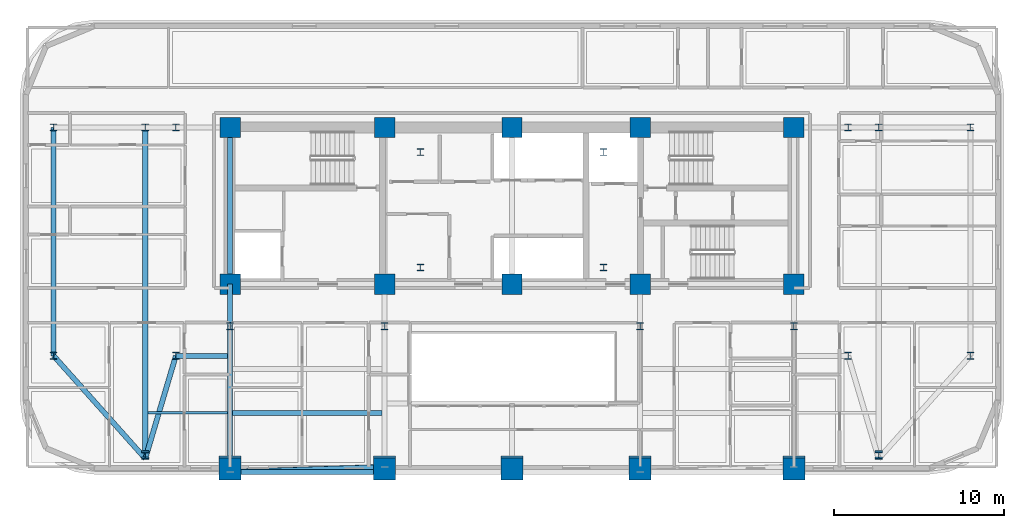
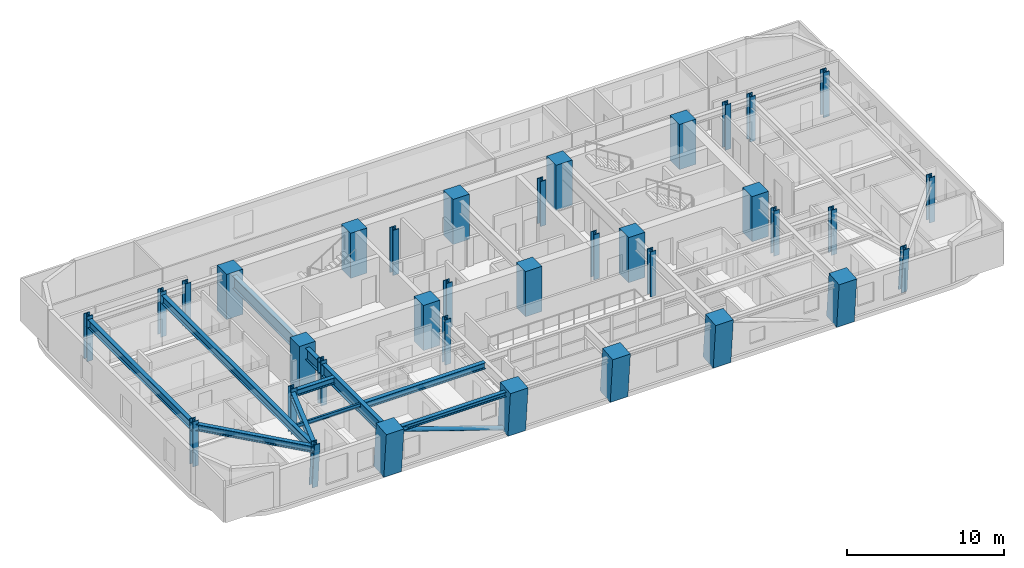
# One storey, part 1 of 16: 35 columns, 11 beams, 1 member.
"""IFC4 building model written with IfcOpenShell, lengths in metres."""

from ifc_helpers import new_model, si_unit, direction, frame, origin, origin_2d, place, context, subcontext, project, spatial, rectangle, hollow_circle, i_section, extrude, material, material_profile, profile_set, type_object, element, save


model = new_model("IFC4")

# Units and contexts
model_context = context("Model", 3, precision=1e-05, world=origin(), true_north=direction((0.0, 1.0)))
body_context = subcontext(model_context, "Body", "Model", "MODEL_VIEW")
ifc_project = project(units=[si_unit("LENGTHUNIT", "METRE"), si_unit("AREAUNIT", "SQUARE_METRE"), si_unit("VOLUMEUNIT", "CUBIC_METRE"), si_unit("PLANEANGLEUNIT", "RADIAN"), si_unit("MASSUNIT", "GRAM", prefix="KILO")], contexts=[model_context])

# Site, building, storey
site_placement = place(None, origin())
site = spatial("IfcSite", under=ifc_project, at=site_placement, CompositionType="ELEMENT")
building_placement = place(site_placement, origin())
building = spatial("IfcBuilding", under=site, at=building_placement, Name="Zarnavel Station Tower", CompositionType="ELEMENT")
storey_placement = place(building_placement, frame((0.0, 0.0, 101.300048828125)))
storey = spatial("IfcBuildingStorey", under=building, at=storey_placement, Name="L27", CompositionType="ELEMENT", Elevation=101.300048828125)

# Columns
ifc_material_1 = material(Name="Steel S460M", Category="steel")
ifc_material_profile_1 = material_profile(ifc_material_1, i_section(OverallWidth=0.41796875, OverallDepth=0.431884765625, WebThickness=0.034912109375, FlangeThickness=0.055908203125, FilletRadius=0.014892578125, at=origin_2d()), Name="HD400x421")
ifc_profile_set_1 = profile_set([ifc_material_profile_1], Name="Steel S460M")
column_type_1 = type_object("IfcColumnType", Name="EC_HD421", PredefinedType="COLUMN", material=ifc_profile_set_1)
for number, where, z_axis, x_axis, name in (
    (1, (1.800048828125, 23.60009765625, 0.0), (0.0, 0.0, 1.0), (1.0, 0.0, 0.0), "L27 Outer Wing South Column 1"),
    (2, (1.800048828125, 37.050048828125, 0.0), (0.0, 0.0, 1.0), (1.0, 0.0, 0.0), "L27 Outer Wing North Column 1"),
):
    element("IfcColumn", number, at=place(storey_placement, frame(where, z_axis=z_axis, x_axis=x_axis)), inside=storey, type_object=column_type_1, Name=name, PredefinedType="COLUMN", context=body_context, shape_type="SweptSolid", body=[
        extrude(i_section(OverallWidth=0.41796875, OverallDepth=0.431884765625, WebThickness=0.034912109375, FlangeThickness=0.055908203125, FilletRadius=0.014892578125, at=origin_2d()), origin(), (0.0, 0.0, 1.0), 3.5),
    ])
for number, where, z_axis, x_axis, name in (
    (3, (7.199951171875, 17.80517578125, 0.0), (0.0, -0.079891690793, 0.996803550226), (1.0, 0.0, 0.0), "L27 Raked Wing Column 2"),
    (4, (50.39990234375, 17.80517578125, 0.0), (0.0, -0.079891690793, 0.996803550226), (1.0, 0.0, 0.0), "L27 Raked Wing Column 3"),
):
    element("IfcColumn", number, at=place(storey_placement, frame(where, z_axis=z_axis, x_axis=x_axis)), inside=storey, type_object=column_type_1, Name=name, PredefinedType="COLUMN", context=body_context, shape_type="SweptSolid", body=[
        extrude(i_section(OverallWidth=0.41796875, OverallDepth=0.431884765625, WebThickness=0.034912109375, FlangeThickness=0.055908203125, FilletRadius=0.014892578125, at=origin_2d()), origin(), (0.0, 0.0, 1.0), 3.51123046875),
    ])
for number, where, z_axis, x_axis, name in (
    (5, (55.800048828125, 23.60009765625, 0.0), (0.0, 0.0, 1.0), (1.0, 0.0, 0.0), "L27 Outer Wing South Column 4"),
    (6, (55.800048828125, 37.050048828125, 0.0), (0.0, 0.0, 1.0), (1.0, 0.0, 0.0), "L27 Outer Wing North Column 4"),
):
    element("IfcColumn", number, at=place(storey_placement, frame(where, z_axis=z_axis, x_axis=x_axis)), inside=storey, type_object=column_type_1, Name=name, PredefinedType="COLUMN", context=body_context, shape_type="SweptSolid", body=[
        extrude(i_section(OverallWidth=0.41796875, OverallDepth=0.431884765625, WebThickness=0.034912109375, FlangeThickness=0.055908203125, FilletRadius=0.014892578125, at=origin_2d()), origin(), (0.0, 0.0, 1.0), 3.5),
    ])
ifc_material_2 = material(Name="Steel S460M", Category="steel")
ifc_material_profile_2 = material_profile(ifc_material_2, i_section(OverallWidth=0.41796875, OverallDepth=0.431884765625, WebThickness=0.034912109375, FlangeThickness=0.055908203125, FilletRadius=0.014892578125, at=origin_2d()), Name="HD400x421")
ifc_profile_set_2 = profile_set([ifc_material_profile_2], Name="Steel S460M")
column_type_2 = type_object("IfcColumnType", Name="IC_HD421", PredefinedType="COLUMN", material=ifc_profile_set_2)
for number, where, z_axis, x_axis, name in (
    (7, (23.39990234375, 28.800048828125, 0.0), (0.0, 0.0, 1.0), (1.0, 0.0, 0.0), "L27 Mast Spine Column 1"),
    (8, (34.199951171875, 28.800048828125, 0.0), (0.0, 0.0, 1.0), (1.0, 0.0, 0.0), "L27 Mast Spine Column 2"),
    (9, (34.199951171875, 35.60009765625, 0.0), (0.0, 0.0, 1.0), (1.0, 0.0, 0.0), "L27 Mast Spine Column 3"),
    (10, (23.39990234375, 35.60009765625, 0.0), (0.0, 0.0, 1.0), (1.0, 0.0, 0.0), "L27 Mast Spine Column 4"),
    (11, (12.199951171875, 25.35009765625, 0.0), (0.0, 0.0, 1.0), (1.0, 0.0, 0.0), "L27 Inner Spine Column 1"),
    (12, (21.300048828125, 25.35009765625, 0.0), (0.0, 0.0, 1.0), (1.0, 0.0, 0.0), "L27 Inner Spine Column 2"),
    (13, (36.35009765625, 25.35009765625, 0.0), (0.0, 0.0, 1.0), (1.0, 0.0, 0.0), "L27 Inner Spine Column 4"),
    (14, (45.39990234375, 25.35009765625, 0.0), (0.0, 0.0, 1.0), (1.0, 0.0, 0.0), "L27 Inner Spine Column 5"),
    (15, (9.0, 23.60009765625, 0.0), (0.0, 0.0, 1.0), (1.0, 0.0, 0.0), "L27 Inner Wing Spine Column 1-1"),
    (16, (9.0, 37.050048828125, 0.0), (0.0, 0.0, 1.0), (1.0, 0.0, 0.0), "L27 Inner Wing Spine Column 1-2"),
    (17, (48.60009765625, 23.60009765625, 0.0), (0.0, 0.0, 1.0), (1.0, 0.0, 0.0), "L27 Inner Wing Spine Column 2-1"),
    (18, (48.60009765625, 37.050048828125, 0.0), (0.0, 0.0, 1.0), (1.0, 0.0, 0.0), "L27 Inner Wing Spine Column 2-2"),
    (19, (7.199951171875, 37.050048828125, 0.0), (0.0, 0.0, 1.0), (1.0, 0.0, 0.0), "L27 Outer Wing North Column 2"),
    (20, (50.39990234375, 37.050048828125, 0.0), (0.0, 0.0, 1.0), (1.0, 0.0, 0.0), "L27 Outer Wing North Column 3"),
):
    element("IfcColumn", number, at=place(storey_placement, frame(where, z_axis=z_axis, x_axis=x_axis)), inside=storey, type_object=column_type_2, Name=name, PredefinedType="COLUMN", context=body_context, shape_type="SweptSolid", body=[
        extrude(i_section(OverallWidth=0.41796875, OverallDepth=0.431884765625, WebThickness=0.034912109375, FlangeThickness=0.055908203125, FilletRadius=0.014892578125, at=origin_2d()), origin(), (0.0, 0.0, 1.0), 3.5),
    ])
ifc_material_3 = material(Name="Concrete C50/60", Category="concrete")
ifc_material_profile_3 = material_profile(ifc_material_3, rectangle(XDim=1.199951171875, YDim=1.199951171875, at=origin_2d()), Name="RC1200x1200")
ifc_profile_set_3 = profile_set([ifc_material_profile_3], Name="Concrete C50/60")
column_type_3 = type_object("IfcColumnType", Name="IC_RC1200", PredefinedType="COLUMN", material=ifc_profile_set_3)
for number, where, z_axis, x_axis, name in (
    (21, (12.199951171875, 27.820068359375, 0.0), (0.0, 0.0, 1.0), (1.0, 0.0, 0.0), "L27 Core Spine Column 1-1"),
    (22, (12.199951171875, 37.050048828125, 0.0), (0.0, 0.0, 1.0), (1.0, 0.0, 0.0), "L27 Core Spine Column 1-2"),
    (23, (21.300048828125, 27.820068359375, 0.0), (0.0, 0.0, 1.0), (1.0, 0.0, 0.0), "L27 Core Spine Column 2-1"),
    (24, (21.300048828125, 37.050048828125, 0.0), (0.0, 0.0, 1.0), (1.0, 0.0, 0.0), "L27 Core Spine Column 2-2"),
    (25, (28.800048828125, 27.820068359375, 0.0), (0.0, 0.0, 1.0), (1.0, 0.0, 0.0), "L27 Core Spine Column 3-1"),
    (26, (28.800048828125, 37.050048828125, 0.0), (0.0, 0.0, 1.0), (1.0, 0.0, 0.0), "L27 Core Spine Column 3-2"),
    (27, (36.35009765625, 27.820068359375, 0.0), (0.0, 0.0, 1.0), (1.0, 0.0, 0.0), "L27 Core Spine Column 4-1"),
    (28, (36.35009765625, 37.050048828125, 0.0), (0.0, 0.0, 1.0), (1.0, 0.0, 0.0), "L27 Core Spine Column 4-2"),
    (29, (45.39990234375, 27.820068359375, 0.0), (0.0, 0.0, 1.0), (1.0, 0.0, 0.0), "L27 Core Spine Column 5-1"),
    (30, (45.39990234375, 37.050048828125, 0.0), (0.0, 0.0, 1.0), (1.0, 0.0, 0.0), "L27 Core Spine Column 5-2"),
):
    element("IfcColumn", number, at=place(storey_placement, frame(where, z_axis=z_axis, x_axis=x_axis)), inside=storey, type_object=column_type_3, Name=name, PredefinedType="COLUMN", context=body_context, shape_type="SweptSolid", body=[
        extrude(rectangle(XDim=1.199951171875, YDim=1.199951171875, at=origin_2d()), origin(), (0.0, 0.0, 1.0), 3.5),
    ])
ifc_material_4 = material(Name="Concrete C60/75", Category="concrete")
ifc_material_profile_4 = material_profile(ifc_material_4, rectangle(XDim=1.300048828125, YDim=1.300048828125, at=origin_2d()), Name="RC1300x1300")
ifc_profile_set_4 = profile_set([ifc_material_profile_4], Name="Concrete C60/75")
column_type_4 = type_object("IfcColumnType", Name="MC_RC1300", PredefinedType="COLUMN", material=ifc_profile_set_4)
for number, where, z_axis, x_axis, name in (
    (31, (12.199951171875, 17.048095703125, 0.0), (0.0, -0.090241349316, 0.995919925935), (1.0, 0.0, 0.0), "L27 Raked South Mega-Column 1"),
    (32, (21.300048828125, 17.048095703125, 0.0), (0.0, -0.090241349316, 0.995919925935), (1.0, 0.0, 0.0), "L27 Raked South Mega-Column 2"),
    (33, (28.800048828125, 17.048095703125, 0.0), (0.0, -0.090241349316, 0.995919925935), (1.0, 0.0, 0.0), "L27 Raked South Mega-Column 3"),
    (34, (36.35009765625, 17.048095703125, 0.0), (0.0, -0.090241349316, 0.995919925935), (1.0, 0.0, 0.0), "L27 Raked South Mega-Column 4"),
    (35, (45.39990234375, 17.048095703125, 0.0), (0.0, -0.090241349316, 0.995919925935), (1.0, 0.0, 0.0), "L27 Raked South Mega-Column 5"),
):
    element("IfcColumn", number, at=place(storey_placement, frame(where, z_axis=z_axis, x_axis=x_axis)), inside=storey, type_object=column_type_4, Name=name, PredefinedType="COLUMN", context=body_context, shape_type="SweptSolid", body=[
        extrude(rectangle(XDim=1.300048828125, YDim=1.300048828125, at=origin_2d()), origin(), (0.0, 0.0, 1.0), 3.514404296875),
    ])

# Member
ifc_material_5 = material(Name="Steel S355J2", Category="steel")
ifc_material_profile_5 = material_profile(ifc_material_5, hollow_circle(Radius=0.161865234375, WallThickness=0.012451171875, at=origin_2d()), Name="CHS323.9x12.5")
ifc_profile_set_5 = profile_set([ifc_material_profile_5], Name="Steel S355J2")
member_type = type_object("IfcMemberType", Name="DB_EXT_CHS324", PredefinedType="BRACE", material=ifc_profile_set_5)
member_placement = place(storey_placement, frame((21.300048828125, 17.048095703125, 0.0), z_axis=(-0.941636397979, -0.030365588624, 0.335259339958), x_axis=(0.032230925026, -0.999480448769, 0.0)))
element("IfcMember", 36, at=member_placement, inside=storey, type_object=member_type, Name="L27 Persian Exterior Diagonal Frame Brace 1", PredefinedType="BRACE", context=body_context, shape_type="SweptSolid", body=[
    extrude(hollow_circle(Radius=0.161865234375, WallThickness=0.012451171875, at=origin_2d()), origin(), (0.0, 0.0, 1.0), 9.6640625),
])

# Beams
ifc_material_6 = material(Name="Steel S355J2", Category="steel")
ifc_material_profile_6 = material_profile(ifc_material_6, i_section(OverallWidth=0.300048828125, OverallDepth=0.360107421875, WebThickness=0.012451171875, FlangeThickness=0.0224609375, FilletRadius=0.027099609375, at=origin_2d()), Name="HEB360")
ifc_profile_set_6 = profile_set([ifc_material_profile_6], Name="Steel S355J2")
beam_type_1 = type_object("IfcBeamType", Name="EB_HEB360", PredefinedType="SPANDREL", material=ifc_profile_set_6)
beam_1_placement = place(storey_placement, frame((12.199951171875, 16.754638671875, 3.06005859375), z_axis=(1.0, 0.0, 0.0), x_axis=(0.0, 1.0, 0.0)))
element("IfcBeam", 37, at=beam_1_placement, inside=storey, type_object=beam_type_1, Name="L27 South Raked Spandrel 1", PredefinedType="SPANDREL", context=body_context, shape_type="SweptSolid", body=[
    extrude(i_section(OverallWidth=0.300048828125, OverallDepth=0.360107421875, WebThickness=0.012451171875, FlangeThickness=0.0224609375, FilletRadius=0.027099609375, at=origin_2d()), origin(), (0.0, 0.0, 1.0), 9.10009765625),
])
ifc_material_7 = material(Name="Steel S355J2", Category="steel")
ifc_material_profile_7 = material_profile(ifc_material_7, i_section(OverallWidth=0.300048828125, OverallDepth=0.489990234375, WebThickness=0.011962890625, FlangeThickness=0.02294921875, FilletRadius=0.027099609375, at=origin_2d()), Name="HEA500")
ifc_profile_set_7 = profile_set([ifc_material_profile_7], Name="Steel S355J2")
beam_type_2 = type_object("IfcBeamType", Name="FB_HEA500", PredefinedType="BEAM", material=ifc_profile_set_7)
beam_2_placement = place(storey_placement, frame((12.344970703125, 20.236328125, 2.994873046875), z_axis=(1.0, 0.0, 0.0), x_axis=(0.0, 1.0, 0.0)))
element("IfcBeam", 38, at=beam_2_placement, inside=storey, type_object=beam_type_2, Name="L27 West Bay Beam 1", PredefinedType="BEAM", context=body_context, shape_type="SweptSolid", body=[
    extrude(i_section(OverallWidth=0.300048828125, OverallDepth=0.489990234375, WebThickness=0.011962890625, FlangeThickness=0.02294921875, FilletRadius=0.027099609375, at=origin_2d()), origin(), (0.0, 0.0, 1.0), 8.81005859375),
])
ifc_material_8 = material(Name="Steel S355J2", Category="steel")
ifc_material_profile_8 = material_profile(ifc_material_8, i_section(OverallWidth=0.300048828125, OverallDepth=0.5, WebThickness=0.014404296875, FlangeThickness=0.028076171875, FilletRadius=0.027099609375, at=origin_2d()), Name="HEB500")
ifc_profile_set_8 = profile_set([ifc_material_profile_8], Name="Steel S355J2")
beam_type_3 = type_object("IfcBeamType", Name="FG_HEB500", PredefinedType="USERDEFINED", material=ifc_profile_set_8)
beam_3_placement = place(storey_placement, frame((1.800048828125, 23.60009765625, 2.989990234375), z_axis=(0.665599445216, -0.746309170872, 0.0), x_axis=(0.746309170872, 0.665599445216, 0.0)))
element("IfcBeam", 39, at=beam_3_placement, inside=storey, type_object=beam_type_3, Name="L27 West Wing South Tie 1", ObjectType="GIRDER", PredefinedType="USERDEFINED", context=body_context, shape_type="SweptSolid", body=[
    extrude(i_section(OverallWidth=0.300048828125, OverallDepth=0.5, WebThickness=0.014404296875, FlangeThickness=0.028076171875, FilletRadius=0.027099609375, at=origin_2d()), origin(), (0.0, 0.0, 1.0), 8.11279296875),
])
beam_4_placement = place(storey_placement, frame((7.199951171875, 17.54541015625, 2.989990234375), z_axis=(0.284971227864, 0.958536070938, 0.0), x_axis=(-0.958536070938, 0.284971227864, 0.0)))
element("IfcBeam", 40, at=beam_4_placement, inside=storey, type_object=beam_type_3, Name="L27 West Wing South Tie 2", ObjectType="GIRDER", PredefinedType="USERDEFINED", context=body_context, shape_type="SweptSolid", body=[
    extrude(i_section(OverallWidth=0.300048828125, OverallDepth=0.5, WebThickness=0.014404296875, FlangeThickness=0.028076171875, FilletRadius=0.027099609375, at=origin_2d()), origin(), (0.0, 0.0, 1.0), 6.316650390625),
])
beam_5_placement = place(storey_placement, frame((9.0, 23.60009765625, 2.989990234375), z_axis=(1.0, 0.0, 0.0), x_axis=(0.0, 1.0, 0.0)))
element("IfcBeam", 41, at=beam_5_placement, inside=storey, type_object=beam_type_3, Name="L27 West Wing South Tie 3", ObjectType="GIRDER", PredefinedType="USERDEFINED", context=body_context, shape_type="SweptSolid", body=[
    extrude(i_section(OverallWidth=0.300048828125, OverallDepth=0.5, WebThickness=0.014404296875, FlangeThickness=0.028076171875, FilletRadius=0.027099609375, at=origin_2d()), origin(), (0.0, 0.0, 1.0), 3.054931640625),
])
ifc_material_9 = material(Name="Steel S355J2", Category="steel")
ifc_material_profile_9 = material_profile(ifc_material_9, i_section(OverallWidth=0.300048828125, OverallDepth=0.64990234375, WebThickness=0.01611328125, FlangeThickness=0.031005859375, FilletRadius=0.027099609375, at=origin_2d()), Name="HEB650")
ifc_profile_set_9 = profile_set([ifc_material_profile_9], Name="Steel S355J2")
beam_type_4 = type_object("IfcBeamType", Name="FG_HEB650", PredefinedType="USERDEFINED", material=ifc_profile_set_9)
beam_6_placement = place(storey_placement, frame((1.800048828125, 23.60009765625, 2.9150390625), z_axis=(0.0, 1.0, 0.0), x_axis=(-1.0, 0.0, 0.0)))
element("IfcBeam", 42, at=beam_6_placement, inside=storey, type_object=beam_type_4, Name="L27 Wing NS Girder 1", ObjectType="GIRDER", PredefinedType="USERDEFINED", context=body_context, shape_type="SweptSolid", body=[
    extrude(i_section(OverallWidth=0.300048828125, OverallDepth=0.64990234375, WebThickness=0.01611328125, FlangeThickness=0.031005859375, FilletRadius=0.027099609375, at=origin_2d()), origin(), (0.0, 0.0, 1.0), 13.449951171875),
])
beam_7_placement = place(storey_placement, frame((7.199951171875, 17.54541015625, 2.9150390625), z_axis=(0.0, 1.0, 0.0), x_axis=(-1.0, 0.0, 0.0)))
element("IfcBeam", 43, at=beam_7_placement, inside=storey, type_object=beam_type_4, Name="L27 Wing NS Girder 2", ObjectType="GIRDER", PredefinedType="USERDEFINED", context=body_context, shape_type="SweptSolid", body=[
    extrude(i_section(OverallWidth=0.300048828125, OverallDepth=0.64990234375, WebThickness=0.01611328125, FlangeThickness=0.031005859375, FilletRadius=0.027099609375, at=origin_2d()), origin(), (0.0, 0.0, 1.0), 19.504638671875),
])
ifc_material_10 = material(Name="Steel S355J2", Category="steel")
ifc_material_profile_10 = material_profile(ifc_material_10, i_section(OverallWidth=0.14990234375, OverallDepth=0.300048828125, WebThickness=0.007080078125, FlangeThickness=0.0107421875, FilletRadius=0.014892578125, at=origin_2d()), Name="IPE300")
ifc_profile_set_10 = profile_set([ifc_material_profile_10], Name="Steel S355J2")
beam_type_5 = type_object("IfcBeamType", Name="FJ_IPE300", PredefinedType="JOIST", material=ifc_profile_set_10)
beam_8_placement = place(storey_placement, frame((7.344970703125, 20.236328125, 3.08984375), z_axis=(1.0, 0.0, 0.0), x_axis=(0.0, 1.0, 0.0)))
element("IfcBeam", 44, at=beam_8_placement, inside=storey, type_object=beam_type_5, Name="L27 West Wing Joist 1", PredefinedType="JOIST", context=body_context, shape_type="SweptSolid", body=[
    extrude(i_section(OverallWidth=0.14990234375, OverallDepth=0.300048828125, WebThickness=0.007080078125, FlangeThickness=0.0107421875, FilletRadius=0.014892578125, at=origin_2d()), origin(), (0.0, 0.0, 1.0), 4.7099609375),
])
ifc_material_11 = material(Name="Steel S460M", Category="steel")
ifc_material_profile_11 = material_profile(ifc_material_11, i_section(OverallWidth=0.302001953125, OverallDepth=1.008056640625, WebThickness=0.02099609375, FlangeThickness=0.0400390625, FilletRadius=0.030029296875, at=origin_2d()), Name="HEM1000")
ifc_profile_set_11 = profile_set([ifc_material_profile_11], Name="Steel S460M")
beam_type_6 = type_object("IfcBeamType", Name="TG_HEM1000", PredefinedType="USERDEFINED", material=ifc_profile_set_11)
beam_9_placement = place(storey_placement, frame((12.199951171875, 27.820068359375, 2.73583984375), z_axis=(0.0, 1.0, 0.0), x_axis=(-1.0, 0.0, 0.0)))
element("IfcBeam", 45, at=beam_9_placement, inside=storey, type_object=beam_type_6, Name="L27 Core Spine Coupling Girder 1", ObjectType="GIRDER", PredefinedType="USERDEFINED", context=body_context, shape_type="SweptSolid", body=[
    extrude(i_section(OverallWidth=0.302001953125, OverallDepth=1.008056640625, WebThickness=0.02099609375, FlangeThickness=0.0400390625, FilletRadius=0.030029296875, at=origin_2d()), origin(), (0.0, 0.0, 1.0), 9.22998046875),
])
ifc_material_12 = material(Name="Steel S460M", Category="steel")
ifc_material_profile_12 = material_profile(ifc_material_12, i_section(OverallWidth=0.302001953125, OverallDepth=0.909912109375, WebThickness=0.02099609375, FlangeThickness=0.0400390625, FilletRadius=0.030029296875, at=origin_2d()), Name="HEM900")
ifc_profile_set_12 = profile_set([ifc_material_profile_12], Name="Steel S460M")
beam_type_7 = type_object("IfcBeamType", Name="TG_HEM900", PredefinedType="USERDEFINED", material=ifc_profile_set_12)
beam_10_placement = place(storey_placement, frame((12.199951171875, 16.754638671875, 2.784912109375), z_axis=(0.0, 1.0, 0.0), x_axis=(-1.0, 0.0, 0.0)))
element("IfcBeam", 46, at=beam_10_placement, inside=storey, type_object=beam_type_7, Name="L27 South-Zone NS Girder 1", ObjectType="GIRDER", PredefinedType="USERDEFINED", context=body_context, shape_type="SweptSolid", body=[
    extrude(i_section(OverallWidth=0.302001953125, OverallDepth=0.909912109375, WebThickness=0.02099609375, FlangeThickness=0.0400390625, FilletRadius=0.030029296875, at=origin_2d()), origin(), (0.0, 0.0, 1.0), 8.595458984375),
])
beam_11_placement = place(storey_placement, frame((12.199951171875, 25.35009765625, 2.784912109375), z_axis=(0.0, 1.0, 0.0), x_axis=(-1.0, 0.0, 0.0)))
element("IfcBeam", 47, at=beam_11_placement, inside=storey, type_object=beam_type_7, Name="L27 Inner-Zone NS Girder 1", ObjectType="GIRDER", PredefinedType="USERDEFINED", context=body_context, shape_type="SweptSolid", body=[
    extrude(i_section(OverallWidth=0.302001953125, OverallDepth=0.909912109375, WebThickness=0.02099609375, FlangeThickness=0.0400390625, FilletRadius=0.030029296875, at=origin_2d()), origin(), (0.0, 0.0, 1.0), 2.469970703125),
])

save(model, "model.ifc")
